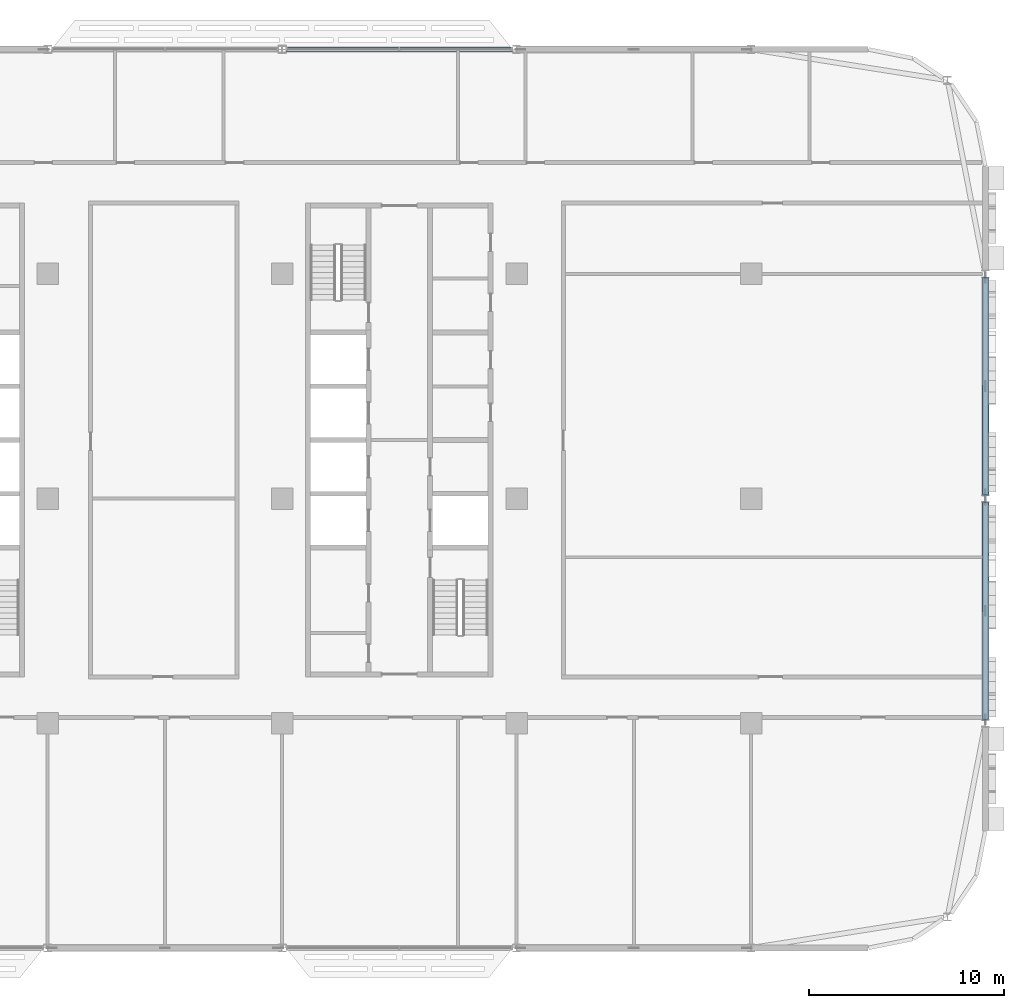
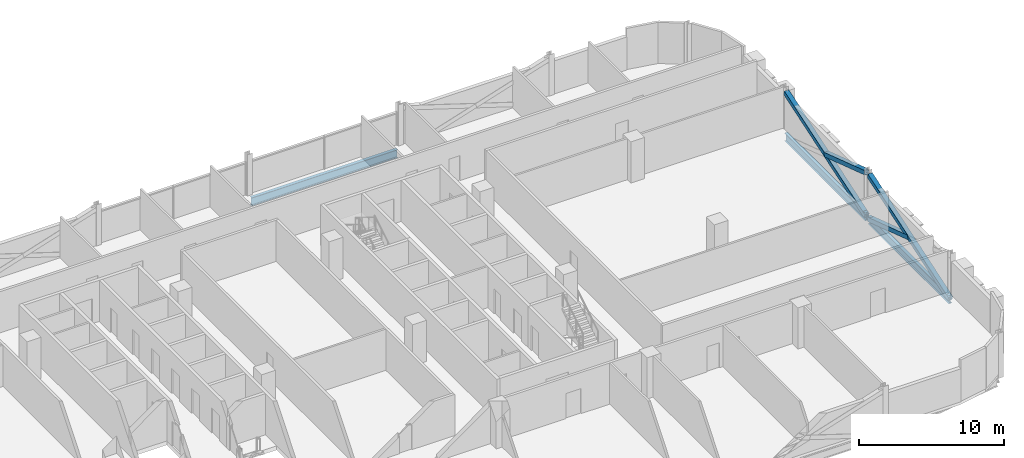
# One storey, part 10 of 30: 4 members, 3 beams.
"""IFC4 building model written with IfcOpenShell, lengths in metres."""

import ifcopenshell
import ifcopenshell.guid

model = None  # the IFC model being written
_history = None  # IfcOwnerHistory: only IFC2X3 demands one
_inside = {}  # id of a spatial element -> (the spatial element, [elements in it])
_under = {}  # id of a project, library or spatial element -> (it, [spatial elements below it])
_declared = {}  # id of a project -> (the project, [libraries it declares])
_typed = {}  # id of a type object -> (the type object, [elements of that type])
_made_of = {}  # id of a material, layer set ... -> (it, [elements and type objects made of it])


def new_model(schema):
    """Start an empty IFC model of exactly this schema.

    Asked for "IFC4X3", IfcOpenShell would pick the latest addendum, in which some entities
    have other attributes; the version numbers below select the first issue.
    IFC2X3 requires an IfcOwnerHistory on every rooted entity: one is made here for all.
    """
    global model, _history
    if schema == "IFC4X3":
        model = ifcopenshell.file(schema_version=(4, 3, 0, 0))
    else:
        model = ifcopenshell.file(schema=schema)
    _inside.clear()
    _under.clear()
    _declared.clear()
    _typed.clear()
    _made_of.clear()
    _history = None
    if model.schema == "IFC2X3":
        org = make("IfcOrganization", Name="unknown")
        user = make(
            "IfcPersonAndOrganization",
            ThePerson=make("IfcPerson", FamilyName="unknown"),
            TheOrganization=org,
        )
        app = make(
            "IfcApplication",
            ApplicationDeveloper=org,
            Version="unknown",
            ApplicationFullName="unknown",
            ApplicationIdentifier="unknown",
        )
        _history = make(
            "IfcOwnerHistory",
            OwningUser=user,
            OwningApplication=app,
            ChangeAction="ADDED",
            CreationDate=0,
        )
    return model


def make(cls, **values):
    """One entity of the class cls with the attributes given. An attribute that is None is left unset."""
    return model.create_entity(
        cls, **{name: value for name, value in values.items() if value is not None}
    )


def rooted(cls, **values):
    """An entity with a GlobalId (a new one), such as an element, a storey or a relation."""
    return make(cls, GlobalId=ifcopenshell.guid.new(), OwnerHistory=_history, **values)


def si_unit(unit_type, name, prefix=None):
    """IfcSIUnit, for example si_unit("LENGTHUNIT", "METRE", prefix="MILLI")."""
    return make("IfcSIUnit", UnitType=unit_type, Prefix=prefix, Name=name)


def assignment(units):
    """IfcUnitAssignment: the units of a project."""
    return None if units is None else make("IfcUnitAssignment", Units=units)


def point(xyz):
    """IfcCartesianPoint."""
    return None if xyz is None else make("IfcCartesianPoint", Coordinates=xyz)


def direction(xyz):
    """IfcDirection."""
    return None if xyz is None else make("IfcDirection", DirectionRatios=xyz)


def frame(location, z_axis=None, x_axis=None):
    """IfcAxis2Placement3D, a coordinate frame: its origin and axes. An axis left out is left unset."""
    return make(
        "IfcAxis2Placement3D",
        Location=point(location),
        Axis=direction(z_axis),
        RefDirection=direction(x_axis),
    )


def frame_2d(location, x_axis=None):
    """IfcAxis2Placement2D, a coordinate frame in the plane: its origin and x axis."""
    return make(
        "IfcAxis2Placement2D", Location=point(location), RefDirection=direction(x_axis)
    )


def origin():
    """The frame at (0, 0, 0) with its axes left unset."""
    return frame((0.0, 0.0, 0.0))


def origin_2d():
    """The frame at (0, 0) in the plane with its x axis left unset."""
    return frame_2d((0.0, 0.0))


def place(relative_to, where):
    """IfcLocalPlacement: puts the frame where relative to a parent placement (None: the world)."""
    return make(
        "IfcLocalPlacement", PlacementRelTo=relative_to, RelativePlacement=where
    )


def context(
    kind, dimensions, precision=None, world=None, true_north=None, identifier=None
):
    """IfcGeometricRepresentationContext, for example the 3D "Model" context."""
    return make(
        "IfcGeometricRepresentationContext",
        ContextIdentifier=identifier,
        ContextType=kind,
        CoordinateSpaceDimension=dimensions,
        Precision=precision,
        WorldCoordinateSystem=world,
        TrueNorth=true_north,
    )


def subcontext(parent, identifier, kind, view, scale=None):
    """IfcGeometricRepresentationSubContext, for example "Body" below "Model"."""
    return make(
        "IfcGeometricRepresentationSubContext",
        ContextIdentifier=identifier,
        ContextType=kind,
        ParentContext=parent,
        TargetScale=scale,
        TargetView=view,
    )


def project(units=None, contexts=None):
    """IfcProject with its units and contexts."""
    return rooted(
        "IfcProject",
        Name="project",
        RepresentationContexts=contexts,
        UnitsInContext=assignment(units),
    )


def spatial(cls, under=None, at=None, **own):
    """A site, building, storey or space (cls), placed at a placement, below another one or the project."""
    s = rooted(cls, ObjectPlacement=at, **own)
    if under is not None:
        _under.setdefault(under.id(), (under, []))[1].append(s)
    return s


def profile(cls, at=None, kind="AREA", **sizes):
    """A parametric profile (cls). Its sizes go by their IFC names, for example OverallWidth=200.0."""
    return make(cls, ProfileType=kind, Position=at, **sizes)


def hollow_rectangle(**sizes):
    """IfcRectangleHollowProfileDef."""
    return profile("IfcRectangleHollowProfileDef", **sizes)


def i_section(**sizes):
    """IfcIShapeProfileDef."""
    return profile("IfcIShapeProfileDef", **sizes)


def extrude(swept, where, along, depth):
    """IfcExtrudedAreaSolid: the profile swept, set in the frame where, extruded along a direction by depth."""
    return make(
        "IfcExtrudedAreaSolid",
        SweptArea=swept,
        Position=where,
        ExtrudedDirection=direction(along),
        Depth=depth,
    )


def shape(context_of_items, identifier, shape_type, items):
    """IfcShapeRepresentation: the items that make up one representation, for example the "Body"."""
    return make(
        "IfcShapeRepresentation",
        ContextOfItems=context_of_items,
        RepresentationIdentifier=identifier,
        RepresentationType=shape_type,
        Items=items,
    )


def material(Name=None, Category=None):
    """IfcMaterial."""
    return make("IfcMaterial", Name=Name, Category=Category)


def material_profile(
    of_material, cross_section, Name=None, Category=None, Priority=None
):
    """IfcMaterialProfile: a cross section and its material."""
    return make(
        "IfcMaterialProfile",
        Name=Name,
        Material=of_material,
        Profile=cross_section,
        Priority=Priority,
        Category=Category,
    )


def profile_set(profiles, Name=None, composite=None):
    """IfcMaterialProfileSet."""
    return make(
        "IfcMaterialProfileSet",
        Name=Name,
        MaterialProfiles=profiles,
        CompositeProfile=composite,
    )


def made_of(thing, what):
    """Note that an element or type object is made of a material, layer set ...; save() writes the relation."""
    if what is not None:
        _made_of.setdefault(what.id(), (what, []))[1].append(thing)
    return thing


def type_object(cls, material=None, **own):
    """A type object (cls), such as IfcWallType, which elements share."""
    return made_of(rooted(cls, **own), material)


def element(
    cls,
    number,
    at=None,
    inside=None,
    cuts=None,
    type_object=None,
    material=None,
    context=None,
    identifier="Body",
    shape_type=None,
    held_by="IfcProductDefinitionShape",
    body=None,
    shapes=None,
    **own,
):
    """One element of the class cls, such as IfcWall. Its Tag is "e" and its number.

    at: its placement. inside: the storey or other place that contains it. cuts: it is an
    opening in that element (IfcRelVoidsElement). A single representation is given by context,
    identifier, shape_type and body (its items); several are given by shapes. held_by: the class
    of the entity that holds the representations. save() writes the other relations.
    """
    e = rooted(cls, Tag="e%d" % number, ObjectPlacement=at, **own)
    if body is not None:
        shapes = [shape(context, identifier, shape_type, body)]
    if shapes is not None:
        e.Representation = make(held_by, Representations=shapes)
    if inside is not None:
        _inside.setdefault(inside.id(), (inside, []))[1].append(e)
    if cuts is not None:
        rooted(
            "IfcRelVoidsElement", RelatingBuildingElement=cuts, RelatedOpeningElement=e
        )
    if type_object is not None:
        _typed.setdefault(type_object.id(), (type_object, []))[1].append(e)
    return made_of(e, material)


def aggregate(whole, parts):
    """IfcRelAggregates: a whole, such as a stair, and the parts it consists of."""
    return rooted("IfcRelAggregates", RelatingObject=whole, RelatedObjects=parts)


def save(model, path):
    """Write the relations noted so far, then the file.

    IfcRelAggregates (storeys below a building ...), IfcRelContainedInSpatialStructure (elements
    in a storey), IfcRelDefinesByType, IfcRelAssociatesMaterial and IfcRelDeclares: one each for
    every whole, place, type object, material and project.
    """
    for whole, parts in _under.values():
        aggregate(whole, parts)
    for where, things in _inside.values():
        rooted(
            "IfcRelContainedInSpatialStructure",
            RelatedElements=things,
            RelatingStructure=where,
        )
    for kind, things in _typed.values():
        rooted("IfcRelDefinesByType", RelatedObjects=things, RelatingType=kind)
    for what, things in _made_of.values():
        rooted("IfcRelAssociatesMaterial", RelatedObjects=things, RelatingMaterial=what)
    for by, libraries in _declared.values():
        rooted("IfcRelDeclares", RelatingContext=by, RelatedDefinitions=libraries)
    model.write(path)


model = new_model("IFC4")

# Units and contexts
model_context = context("Model", 3, precision=1e-05, world=origin(), true_north=direction((0.0, 1.0)))
body_context = subcontext(model_context, "Body", "Model", "MODEL_VIEW")
ifc_project = project(units=[si_unit("LENGTHUNIT", "METRE"), si_unit("AREAUNIT", "SQUARE_METRE"), si_unit("VOLUMEUNIT", "CUBIC_METRE"), si_unit("PLANEANGLEUNIT", "RADIAN"), si_unit("MASSUNIT", "GRAM", prefix="KILO")], contexts=[model_context])

# Site, building, storey
site_placement = place(None, origin())
site = spatial("IfcSite", under=ifc_project, at=site_placement, CompositionType="ELEMENT")
building_placement = place(site_placement, origin())
building = spatial("IfcBuilding", under=site, at=building_placement, Name="Mahtab Terrace Research Tower", CompositionType="ELEMENT")
storey_placement = place(building_placement, frame((0.0, 0.0, 201.5)))
storey = spatial("IfcBuildingStorey", under=building, at=storey_placement, Name="L48", CompositionType="ELEMENT", Elevation=201.5)

# Members
ifc_material_1 = material(Name="Steel ASTM A500 Gr C", Category="steel")
ifc_material_profile_1 = material_profile(ifc_material_1, hollow_rectangle(XDim=0.355712890625, YDim=0.355712890625, WallThickness=0.015869140625, at=origin_2d()), Name="HSS14X14X5/8")
ifc_profile_set_1 = profile_set([ifc_material_profile_1], Name="Steel ASTM A500 Gr C")
member_type = type_object("IfcMemberType", Name="HSS 14x14x5/8 brace XB141458", PredefinedType="BRACE", material=ifc_profile_set_1)
member_1_placement = place(storey_placement, frame((54.0, -11.300537109375, -0.61328125), z_axis=(0.0, 0.949504910136, 0.313752172307), x_axis=(-1.0, 0.0, 0.0)))
element("IfcMember", 1, at=member_1_placement, inside=storey, type_object=member_type, Name="Exoskeleton brace L48 22 a", PredefinedType="BRACE", context=body_context, shape_type="SweptSolid", body=[
    extrude(hollow_rectangle(XDim=0.355712890625, YDim=0.355712890625, WallThickness=0.015869140625, at=origin_2d()), origin(), (0.0, 0.0, 1.0), 11.69140625),
])
member_2_placement = place(storey_placement, frame((54.0, -0.199462890625, -0.61328125), z_axis=(0.0, -0.949498689047, 0.313770998496), x_axis=(1.0, 0.0, 0.0)))
element("IfcMember", 2, at=member_2_placement, inside=storey, type_object=member_type, Name="Exoskeleton brace L48 22 b1", PredefinedType="BRACE", context=body_context, shape_type="SweptSolid", body=[
    extrude(hollow_rectangle(XDim=0.355712890625, YDim=0.355712890625, WallThickness=0.015869140625, at=origin_2d()), origin(), (0.0, 0.0, 1.0), 5.845703125),
])
member_3_placement = place(storey_placement, frame((54.0, 0.199462890625, -0.61328125), z_axis=(0.0, 0.949504910136, 0.313752172307), x_axis=(-1.0, 0.0, 0.0)))
element("IfcMember", 3, at=member_3_placement, inside=storey, type_object=member_type, Name="Exoskeleton brace L48 23 a", PredefinedType="BRACE", context=body_context, shape_type="SweptSolid", body=[
    extrude(hollow_rectangle(XDim=0.355712890625, YDim=0.355712890625, WallThickness=0.015869140625, at=origin_2d()), origin(), (0.0, 0.0, 1.0), 11.69140625),
])
member_4_placement = place(storey_placement, frame((54.0, 5.75, 1.220947265625), z_axis=(0.0, -0.949511130933, 0.313733345748), x_axis=(1.0, 0.0, 0.0)))
element("IfcMember", 4, at=member_4_placement, inside=storey, type_object=member_type, Name="Exoskeleton brace L48 23 b2", PredefinedType="BRACE", context=body_context, shape_type="SweptSolid", body=[
    extrude(hollow_rectangle(XDim=0.355712890625, YDim=0.355712890625, WallThickness=0.015869140625, at=origin_2d()), origin(), (0.0, 0.0, 1.0), 5.845703125),
])

# Beams
ifc_material_2 = material(Name="Steel ASTM A992 Gr 50", Category="steel")
ifc_material_profile_2 = material_profile(ifc_material_2, i_section(OverallWidth=0.25390625, OverallDepth=0.67822265625, WebThickness=0.01171875, FlangeThickness=0.016357421875, at=origin_2d()), Name="W27X84")
ifc_profile_set_2 = profile_set([ifc_material_profile_2], Name="Steel ASTM A992 Gr 50")
beam_type = type_object("IfcBeamType", Name="W27x84 beam BS2784", PredefinedType="BEAM", material=ifc_profile_set_2)
beam_placement = place(storey_placement, frame((29.79931640625, 23.0, -0.67919921875), z_axis=(-1.0, 0.0, 0.0), x_axis=(0.0, -1.0, 0.0)))
element("IfcBeam", 5, at=beam_placement, inside=storey, type_object=beam_type, Name="Spandrel beam L48 03", PredefinedType="BEAM", context=body_context, shape_type="SweptSolid", body=[
    extrude(i_section(OverallWidth=0.25390625, OverallDepth=0.67822265625, WebThickness=0.01171875, FlangeThickness=0.016357421875, at=origin_2d()), origin(), (0.0, 0.0, 1.0), 11.5986328125),
])
for number, where, z_axis, x_axis, name in (
    (6, (54.0, -11.300537109375, -0.67919921875), (0.0, 1.0, 0.0), (-1.0, 0.0, 0.0), "Spandrel beam L48 22"),
    (7, (54.0, 0.199462890625, -0.67919921875), (0.0, 1.0, 0.0), (-1.0, 0.0, 0.0), "Spandrel beam L48 23"),
):
    element("IfcBeam", number, at=place(storey_placement, frame(where, z_axis=z_axis, x_axis=x_axis)), inside=storey, type_object=beam_type, Name=name, PredefinedType="BEAM", context=body_context, shape_type="SweptSolid", body=[
        extrude(i_section(OverallWidth=0.25390625, OverallDepth=0.67822265625, WebThickness=0.01171875, FlangeThickness=0.016357421875, at=origin_2d()), origin(), (0.0, 0.0, 1.0), 11.10107421875),
    ])

save(model, "model.ifc")
